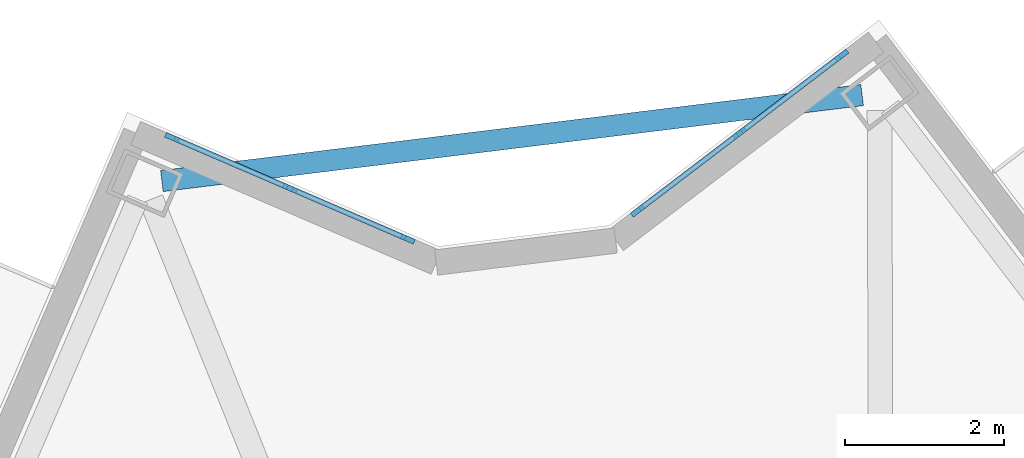
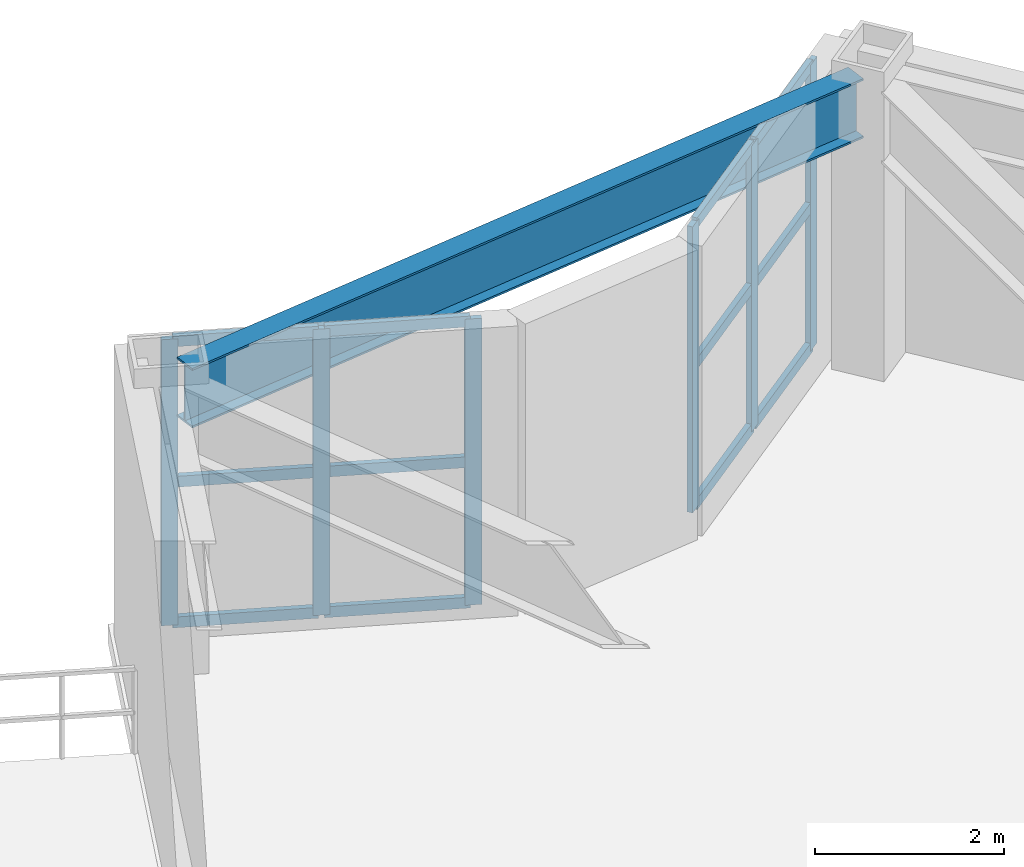
# One storey, part 5 of 17: 18 members, 1 beam, 2 elements without a shape of their own.
"""IFC4 building model written with IfcOpenShell, lengths in metres."""

from ifc_helpers import new_model, si_unit, direction, frame, origin, origin_2d, place, context, subcontext, project, spatial, rectangle, i_section, extrude, material, layer, layer_set, material_profile, profile_set, type_object, element, aggregate, save


model = new_model("IFC4")

# Units and contexts
model_context = context("Model", 3, precision=1e-05, world=origin(), true_north=direction((0.0, 1.0)))
body_context = subcontext(model_context, "Body", "Model", "MODEL_VIEW")
ifc_project = project(units=[si_unit("LENGTHUNIT", "METRE"), si_unit("AREAUNIT", "SQUARE_METRE"), si_unit("VOLUMEUNIT", "CUBIC_METRE"), si_unit("PLANEANGLEUNIT", "RADIAN"), si_unit("MASSUNIT", "GRAM", prefix="KILO")], contexts=[model_context])

# Site, building, storey
site_placement = place(None, origin())
site = spatial("IfcSite", under=ifc_project, at=site_placement, CompositionType="ELEMENT")
building_placement = place(site_placement, origin())
building = spatial("IfcBuilding", under=site, at=building_placement, Name="Apsidion Concourse Tower", CompositionType="ELEMENT")
storey_placement = place(building_placement, frame((0.0, 0.0, 75.0)))
storey = spatial("IfcBuildingStorey", under=building, at=storey_placement, Name="L16", CompositionType="ELEMENT", Elevation=75.0)

# Beam
ifc_material_1 = material(Name="Structural steel ASTM A992 Grade 50", Category="steel")
ifc_material_profile_1 = material_profile(ifc_material_1, i_section(OverallWidth=0.26806640625, OverallDepth=0.77001953125, WebThickness=0.015625, FlangeThickness=0.025390625, at=origin_2d()), Name="W30X132")
ifc_profile_set_1 = profile_set([ifc_material_profile_1], Name="Structural steel ASTM A992 Grade 50")
beam_type = type_object("IfcBeamType", Name="BM-SP-W30", PredefinedType="SPANDREL", material=ifc_profile_set_1)
beam_placement = place(storey_placement, frame((-0.290771484375, 38.888427734375, 3.364990234375), z_axis=(-0.992547646047, -0.121857171831, 0.0), x_axis=(0.121857171831, -0.992547646047, 0.0)))
element("IfcBeam", 1, at=beam_placement, inside=storey, type_object=beam_type, Name="L16 Perimeter Spandrel Girder SP-12", PredefinedType="SPANDREL", context=body_context, shape_type="SweptSolid", body=[
    extrude(i_section(OverallWidth=0.26806640625, OverallDepth=0.77001953125, WebThickness=0.015625, FlangeThickness=0.025390625, at=origin_2d()), origin(), (0.0, 0.0, 1.0), 8.901611328125),
])

# Curtain wall, members
ifc_material_2 = material(Name="Insulated laminated low-E glass", Category="glass")
ifc_layer = layer(ifc_material_2, 0.219970703125)
ifc_layer_set = layer_set([ifc_layer], Name="Insulated laminated low-E glass")
curtain_wall_type = type_object("IfcCurtainWallType", Name="CW-SYS-04", PredefinedType="NOTDEFINED", material=ifc_layer_set)
curtain_wall_1_placement = place(storey_placement, origin())
curtain_wall_1 = element("IfcCurtainWall", 2, at=curtain_wall_1_placement, inside=storey, type_object=curtain_wall_type, Name="L16 Corner Lounge Box Curtain Wall 10", PredefinedType="NOTDEFINED")
ifc_material_3 = material(Name="Anodised aluminium EN AW-6063 T6", Category="aluminium")
ifc_material_profile_2 = material_profile(ifc_material_3, rectangle(XDim=0.06494140625, YDim=0.179931640625, at=origin_2d()), Name="ALU MULLION 65x180")
ifc_profile_set_2 = profile_set([ifc_material_profile_2], Name="Anodised aluminium EN AW-6063 T6")
member_type_1 = type_object("IfcMemberType", Name="CWM-65X180", PredefinedType="MULLION", material=ifc_profile_set_2)
member_1_placement = place(storey_placement, frame((-8.9970703125, 38.3515625, 0.0), z_axis=(0.0, 0.0, 1.0), x_axis=(0.395380310955, 0.918517506479, 0.0)))
member_1 = element("IfcMember", 3, at=member_1_placement, type_object=member_type_1, Name="CW-04 mullion 1", PredefinedType="MULLION", context=body_context, shape_type="SweptSolid", body=[
    extrude(rectangle(XDim=0.06494140625, YDim=0.179931640625, at=origin_2d()), origin(), (0.0, 0.0, 1.0), 3.699951171875),
])
member_2_placement = place(storey_placement, frame((-7.510009765625, 37.71142578125, 0.0), z_axis=(0.0, 0.0, 1.0), x_axis=(0.395380310955, 0.918517506479, 0.0)))
member_2 = element("IfcMember", 4, at=member_2_placement, type_object=member_type_1, Name="CW-04 mullion 2", PredefinedType="MULLION", context=body_context, shape_type="SweptSolid", body=[
    extrude(rectangle(XDim=0.06494140625, YDim=0.179931640625, at=origin_2d()), origin(), (0.0, 0.0, 1.0), 3.699951171875),
])
member_3_placement = place(storey_placement, frame((-6.022705078125, 37.0712890625, 0.0), z_axis=(0.0, 0.0, 1.0), x_axis=(0.395380310955, 0.918517506479, 0.0)))
member_3 = element("IfcMember", 5, at=member_3_placement, type_object=member_type_1, Name="CW-04 mullion 3", PredefinedType="MULLION", context=body_context, shape_type="SweptSolid", body=[
    extrude(rectangle(XDim=0.06494140625, YDim=0.179931640625, at=origin_2d()), origin(), (0.0, 0.0, 1.0), 3.699951171875),
])

curtain_wall_2_placement = place(storey_placement, origin())
curtain_wall_2 = element("IfcCurtainWall", 6, at=curtain_wall_2_placement, inside=storey, type_object=curtain_wall_type, Name="L16 Corner Lounge Box Curtain Wall 12", PredefinedType="NOTDEFINED")
member_4_placement = place(storey_placement, frame((-3.12451171875, 37.427001953125, 0.0), z_axis=(0.0, 0.0, 1.0), x_axis=(-0.605868985379, 0.795564436457, 0.0)))
member_4 = element("IfcMember", 7, at=member_4_placement, type_object=member_type_1, Name="CW-04 mullion 1", PredefinedType="MULLION", context=body_context, shape_type="SweptSolid", body=[
    extrude(rectangle(XDim=0.06494140625, YDim=0.179931640625, at=origin_2d()), origin(), (0.0, 0.0, 1.0), 3.699951171875),
])
member_5_placement = place(storey_placement, frame((-1.83642578125, 38.407958984375, 0.0), z_axis=(0.0, 0.0, 1.0), x_axis=(-0.605868985379, 0.795564436457, 0.0)))
member_5 = element("IfcMember", 8, at=member_5_placement, type_object=member_type_1, Name="CW-04 mullion 2", PredefinedType="MULLION", context=body_context, shape_type="SweptSolid", body=[
    extrude(rectangle(XDim=0.06494140625, YDim=0.179931640625, at=origin_2d()), origin(), (0.0, 0.0, 1.0), 3.699951171875),
])
member_6_placement = place(storey_placement, frame((-0.54833984375, 39.388916015625, 0.0), z_axis=(0.0, 0.0, 1.0), x_axis=(-0.605868985379, 0.795564436457, 0.0)))
member_6 = element("IfcMember", 9, at=member_6_placement, type_object=member_type_1, Name="CW-04 mullion 3", PredefinedType="MULLION", context=body_context, shape_type="SweptSolid", body=[
    extrude(rectangle(XDim=0.06494140625, YDim=0.179931640625, at=origin_2d()), origin(), (0.0, 0.0, 1.0), 3.699951171875),
])

# Member
ifc_material_profile_3 = material_profile(ifc_material_3, rectangle(XDim=0.06494140625, YDim=0.139892578125, at=origin_2d()), Name="ALU TRANSOM 65x140")
ifc_profile_set_3 = profile_set([ifc_material_profile_3], Name="Anodised aluminium EN AW-6063 T6")
member_type_2 = type_object("IfcMemberType", Name="CWT-65X140", PredefinedType="USERDEFINED", material=ifc_profile_set_3)
member_7_placement = place(storey_placement, frame((-8.96728515625, 38.338623046875, 0.032470703125), z_axis=(0.91856710585, -0.395265065558, 0.0), x_axis=(0.395265065558, 0.91856710585, 0.0)))
member_7 = element("IfcMember", 10, at=member_7_placement, type_object=member_type_2, Name="CW-04 transom 1.1", ObjectType="TRANSOM", PredefinedType="USERDEFINED", context=body_context, shape_type="SweptSolid", body=[
    extrude(rectangle(XDim=0.06494140625, YDim=0.139892578125, at=origin_2d()), origin(), (0.0, 0.0, 1.0), 1.553955078125),
])

member_8_placement = place(storey_placement, frame((-8.96728515625, 38.338623046875, 1.85009765625), z_axis=(0.91856710585, -0.395265065558, 0.0), x_axis=(0.395265065558, 0.91856710585, 0.0)))
member_8 = element("IfcMember", 11, at=member_8_placement, type_object=member_type_2, Name="CW-04 transom 1.2", ObjectType="TRANSOM", PredefinedType="USERDEFINED", context=body_context, shape_type="SweptSolid", body=[
    extrude(rectangle(XDim=0.06494140625, YDim=0.139892578125, at=origin_2d()), origin(), (0.0, 0.0, 1.0), 1.553955078125),
])

member_9_placement = place(storey_placement, frame((-8.96728515625, 38.338623046875, 3.66748046875), z_axis=(0.91856710585, -0.395265065558, 0.0), x_axis=(0.395265065558, 0.91856710585, 0.0)))
member_9 = element("IfcMember", 12, at=member_9_placement, type_object=member_type_2, Name="CW-04 transom 1.3", ObjectType="TRANSOM", PredefinedType="USERDEFINED", context=body_context, shape_type="SweptSolid", body=[
    extrude(rectangle(XDim=0.06494140625, YDim=0.139892578125, at=origin_2d()), origin(), (0.0, 0.0, 1.0), 1.553955078125),
])

member_10_placement = place(storey_placement, frame((-7.47998046875, 37.698486328125, 0.032470703125), z_axis=(0.918510060144, -0.395397609267, 0.0), x_axis=(0.395397609267, 0.918510060144, 0.0)))
member_10 = element("IfcMember", 13, at=member_10_placement, type_object=member_type_2, Name="CW-04 transom 2.1", ObjectType="TRANSOM", PredefinedType="USERDEFINED", context=body_context, shape_type="SweptSolid", body=[
    extrude(rectangle(XDim=0.06494140625, YDim=0.139892578125, at=origin_2d()), origin(), (0.0, 0.0, 1.0), 1.55419921875),
])

member_11_placement = place(storey_placement, frame((-7.47998046875, 37.698486328125, 1.85009765625), z_axis=(0.918510060144, -0.395397609267, 0.0), x_axis=(0.395397609267, 0.918510060144, 0.0)))
member_11 = element("IfcMember", 14, at=member_11_placement, type_object=member_type_2, Name="CW-04 transom 2.2", ObjectType="TRANSOM", PredefinedType="USERDEFINED", context=body_context, shape_type="SweptSolid", body=[
    extrude(rectangle(XDim=0.06494140625, YDim=0.139892578125, at=origin_2d()), origin(), (0.0, 0.0, 1.0), 1.55419921875),
])

member_12_placement = place(storey_placement, frame((-7.47998046875, 37.698486328125, 3.66748046875), z_axis=(0.918510060144, -0.395397609267, 0.0), x_axis=(0.395397609267, 0.918510060144, 0.0)))
member_12 = element("IfcMember", 15, at=member_12_placement, type_object=member_type_2, Name="CW-04 transom 2.3", ObjectType="TRANSOM", PredefinedType="USERDEFINED", context=body_context, shape_type="SweptSolid", body=[
    extrude(rectangle(XDim=0.06494140625, YDim=0.139892578125, at=origin_2d()), origin(), (0.0, 0.0, 1.0), 1.55419921875),
])

aggregate(curtain_wall_1, [member_1, member_2, member_3, member_7, member_8, member_9, member_10, member_11, member_12])

member_13_placement = place(storey_placement, frame((-3.0986328125, 37.44677734375, 0.032470703125), z_axis=(0.795529077112, 0.6059154128, 0.0), x_axis=(-0.6059154128, 0.795529077112, 0.0)))
member_13 = element("IfcMember", 16, at=member_13_placement, type_object=member_type_2, Name="CW-04 transom 1.1", ObjectType="TRANSOM", PredefinedType="USERDEFINED", context=body_context, shape_type="SweptSolid", body=[
    extrude(rectangle(XDim=0.06494140625, YDim=0.139892578125, at=origin_2d()), origin(), (0.0, 0.0, 1.0), 1.55419921875),
])

member_14_placement = place(storey_placement, frame((-3.0986328125, 37.44677734375, 1.85009765625), z_axis=(0.795529077112, 0.6059154128, 0.0), x_axis=(-0.6059154128, 0.795529077112, 0.0)))
member_14 = element("IfcMember", 17, at=member_14_placement, type_object=member_type_2, Name="CW-04 transom 1.2", ObjectType="TRANSOM", PredefinedType="USERDEFINED", context=body_context, shape_type="SweptSolid", body=[
    extrude(rectangle(XDim=0.06494140625, YDim=0.139892578125, at=origin_2d()), origin(), (0.0, 0.0, 1.0), 1.55419921875),
])

member_15_placement = place(storey_placement, frame((-3.0986328125, 37.44677734375, 3.66748046875), z_axis=(0.795529077112, 0.6059154128, 0.0), x_axis=(-0.6059154128, 0.795529077112, 0.0)))
member_15 = element("IfcMember", 18, at=member_15_placement, type_object=member_type_2, Name="CW-04 transom 1.3", ObjectType="TRANSOM", PredefinedType="USERDEFINED", context=body_context, shape_type="SweptSolid", body=[
    extrude(rectangle(XDim=0.06494140625, YDim=0.139892578125, at=origin_2d()), origin(), (0.0, 0.0, 1.0), 1.55419921875),
])

member_16_placement = place(storey_placement, frame((-1.810546875, 38.427734375, 0.032470703125), z_axis=(0.795529077112, 0.6059154128, 0.0), x_axis=(-0.6059154128, 0.795529077112, 0.0)))
member_16 = element("IfcMember", 19, at=member_16_placement, type_object=member_type_2, Name="CW-04 transom 2.1", ObjectType="TRANSOM", PredefinedType="USERDEFINED", context=body_context, shape_type="SweptSolid", body=[
    extrude(rectangle(XDim=0.06494140625, YDim=0.139892578125, at=origin_2d()), origin(), (0.0, 0.0, 1.0), 1.55419921875),
])

member_17_placement = place(storey_placement, frame((-1.810546875, 38.427734375, 1.85009765625), z_axis=(0.795529077112, 0.6059154128, 0.0), x_axis=(-0.6059154128, 0.795529077112, 0.0)))
member_17 = element("IfcMember", 20, at=member_17_placement, type_object=member_type_2, Name="CW-04 transom 2.2", ObjectType="TRANSOM", PredefinedType="USERDEFINED", context=body_context, shape_type="SweptSolid", body=[
    extrude(rectangle(XDim=0.06494140625, YDim=0.139892578125, at=origin_2d()), origin(), (0.0, 0.0, 1.0), 1.55419921875),
])

member_18_placement = place(storey_placement, frame((-1.810546875, 38.427734375, 3.66748046875), z_axis=(0.795529077112, 0.6059154128, 0.0), x_axis=(-0.6059154128, 0.795529077112, 0.0)))
member_18 = element("IfcMember", 21, at=member_18_placement, type_object=member_type_2, Name="CW-04 transom 2.3", ObjectType="TRANSOM", PredefinedType="USERDEFINED", context=body_context, shape_type="SweptSolid", body=[
    extrude(rectangle(XDim=0.06494140625, YDim=0.139892578125, at=origin_2d()), origin(), (0.0, 0.0, 1.0), 1.55419921875),
])

aggregate(curtain_wall_2, [member_4, member_5, member_6, member_13, member_14, member_15, member_16, member_17, member_18])

save(model, "model.ifc")
